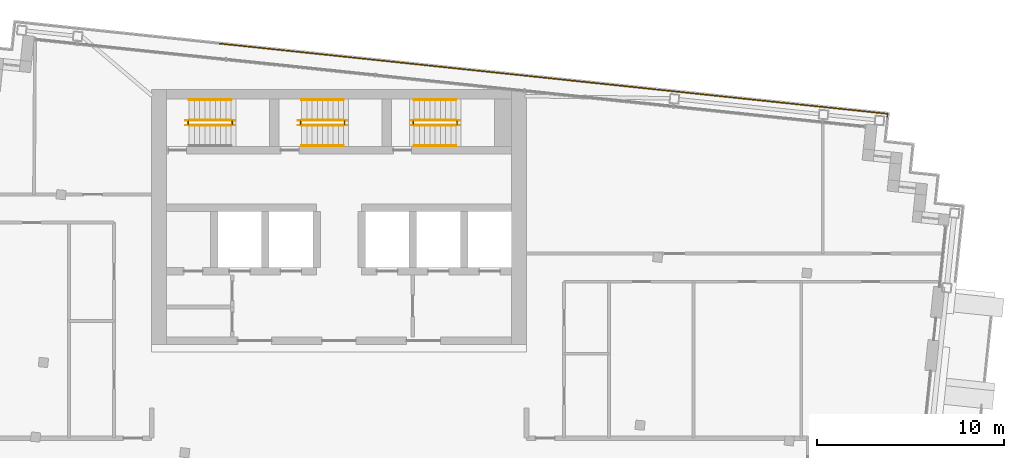
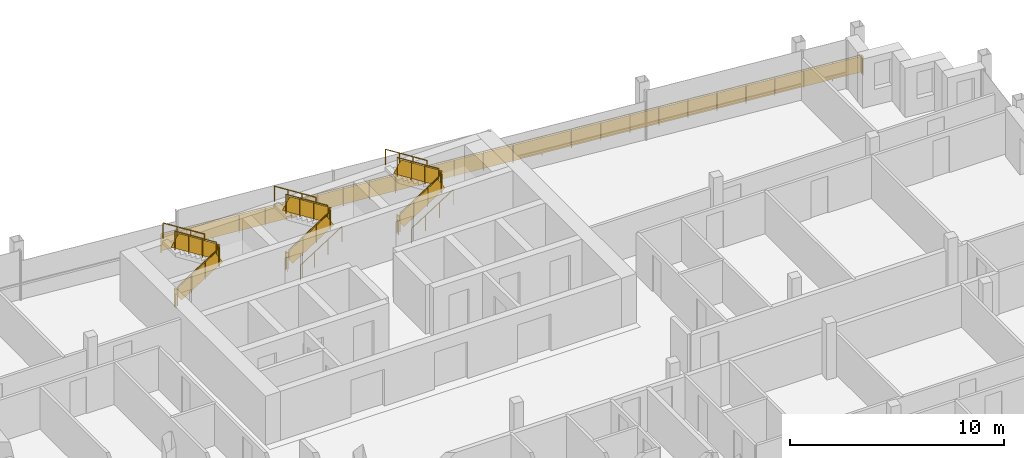
# One storey, part 15 of 16: 20 railings.
"""IFC4 building model written with IfcOpenShell, lengths in metres."""

from ifc_helpers import new_model, si_unit, direction, frame, origin, origin_2d, place, context, subcontext, project, spatial, rectangle, circle, extrude, material, type_object, element, save


model = new_model("IFC4")

# Units and contexts
model_context = context("Model", 3, precision=1e-05, world=origin(), true_north=direction((0.0, 1.0)))
body_context = subcontext(model_context, "Body", "Model", "MODEL_VIEW")
ifc_project = project(units=[si_unit("LENGTHUNIT", "METRE"), si_unit("AREAUNIT", "SQUARE_METRE"), si_unit("VOLUMEUNIT", "CUBIC_METRE"), si_unit("PLANEANGLEUNIT", "RADIAN"), si_unit("MASSUNIT", "GRAM", prefix="KILO")], contexts=[model_context])

# Site, building, storey
site_placement = place(None, origin())
site = spatial("IfcSite", under=ifc_project, at=site_placement, CompositionType="ELEMENT")
building_placement = place(site_placement, origin())
building = spatial("IfcBuilding", under=site, at=building_placement, Name="Vidyagriha Tower", CompositionType="ELEMENT")
storey_placement = place(building_placement, frame((0.0, 0.0, 278.699951171875)))
storey = spatial("IfcBuildingStorey", under=building, at=storey_placement, Name="L73", CompositionType="ELEMENT", Elevation=278.699951171875)

# Railings
ifc_material_1 = material(Name="Steel ASTM A500 Grade C black painted", Category="steel")
railing_type_1 = type_object("IfcRailingType", Name="Gallery guard 1100", PredefinedType="GUARDRAIL", material=ifc_material_1)
railing_1_placement = place(storey_placement, frame((-6.382080078125, 22.45068359375, 0.0)))
element("IfcRailing", 1, at=railing_1_placement, inside=storey, type_object=railing_type_1, Name="Gallery guard L73 6", PredefinedType="GUARDRAIL", context=body_context, shape_type="SweptSolid", body=[
    extrude(circle(Radius=0.02490234375, at=origin_2d()), frame((0.0, 0.0, 1.0751953125), z_axis=(0.994523609071, -0.104512157188, 0.0), x_axis=(0.104512157188, 0.994523609071, 0.0)), (0.0, 0.0, 1.0), 12.0),
    extrude(circle(Radius=0.02001953125, at=origin_2d()), origin(), (0.0, 0.0, 1.0), 1.050048828125),
    extrude(circle(Radius=0.02001953125, at=origin_2d()), frame((1.325927734375, -0.139404296875, 0.0)), (0.0, 0.0, 1.0), 1.050048828125),
    extrude(circle(Radius=0.02001953125, at=origin_2d()), frame((2.652099609375, -0.27880859375, 0.0)), (0.0, 0.0, 1.0), 1.050048828125),
    extrude(circle(Radius=0.02001953125, at=origin_2d()), frame((3.97802734375, -0.41796875, 0.0)), (0.0, 0.0, 1.0), 1.050048828125),
    extrude(circle(Radius=0.02001953125, at=origin_2d()), frame((5.30419921875, -0.557373046875, 0.0)), (0.0, 0.0, 1.0), 1.050048828125),
    extrude(circle(Radius=0.02001953125, at=origin_2d()), frame((6.630126953125, -0.69677734375, 0.0)), (0.0, 0.0, 1.0), 1.050048828125),
    extrude(circle(Radius=0.02001953125, at=origin_2d()), frame((7.956298828125, -0.836181640625, 0.0)), (0.0, 0.0, 1.0), 1.050048828125),
    extrude(circle(Radius=0.02001953125, at=origin_2d()), frame((9.2822265625, -0.975341796875, 0.0)), (0.0, 0.0, 1.0), 1.050048828125),
    extrude(circle(Radius=0.02001953125, at=origin_2d()), frame((10.6083984375, -1.11474609375, 0.0)), (0.0, 0.0, 1.0), 1.050048828125),
    extrude(circle(Radius=0.02001953125, at=origin_2d()), frame((11.934326171875, -1.254150390625, 0.0)), (0.0, 0.0, 1.0), 1.050048828125),
    extrude(rectangle(XDim=0.010009765625, YDim=0.900146484375, at=origin_2d()), frame((0.0, 0.0, 0.550048828125), z_axis=(0.994523609071, -0.104512157188, 0.0), x_axis=(0.104512157188, 0.994523609071, 0.0)), (0.0, 0.0, 1.0), 12.0),
])
railing_2_placement = place(storey_placement, frame((5.55224609375, 21.196533203125, 0.0)))
element("IfcRailing", 2, at=railing_2_placement, inside=storey, type_object=railing_type_1, Name="Gallery guard L73 7", PredefinedType="GUARDRAIL", context=body_context, shape_type="SweptSolid", body=[
    extrude(circle(Radius=0.02490234375, at=origin_2d()), frame((0.0, 0.0, 1.0751953125), z_axis=(0.994521271903, -0.104534394972, 0.0), x_axis=(0.104534394972, 0.994521271903, 0.0)), (0.0, 0.0, 1.0), 11.999755859375),
    extrude(circle(Radius=0.02001953125, at=origin_2d()), origin(), (0.0, 0.0, 1.0), 1.050048828125),
    extrude(circle(Radius=0.02001953125, at=origin_2d()), frame((1.49169921875, -0.15673828125, 0.0)), (0.0, 0.0, 1.0), 1.050048828125),
    extrude(circle(Radius=0.02001953125, at=origin_2d()), frame((2.9833984375, -0.3134765625, 0.0)), (0.0, 0.0, 1.0), 1.050048828125),
    extrude(circle(Radius=0.02001953125, at=origin_2d()), frame((4.475341796875, -0.470458984375, 0.0)), (0.0, 0.0, 1.0), 1.050048828125),
    extrude(circle(Radius=0.02001953125, at=origin_2d()), frame((5.967041015625, -0.627197265625, 0.0)), (0.0, 0.0, 1.0), 1.050048828125),
    extrude(circle(Radius=0.02001953125, at=origin_2d()), frame((7.458740234375, -0.783935546875, 0.0)), (0.0, 0.0, 1.0), 1.050048828125),
    extrude(circle(Radius=0.02001953125, at=origin_2d()), frame((8.95068359375, -0.94091796875, 0.0)), (0.0, 0.0, 1.0), 1.050048828125),
    extrude(circle(Radius=0.02001953125, at=origin_2d()), frame((10.4423828125, -1.09765625, 0.0)), (0.0, 0.0, 1.0), 1.050048828125),
    extrude(circle(Radius=0.02001953125, at=origin_2d()), frame((11.93408203125, -1.25439453125, 0.0)), (0.0, 0.0, 1.0), 1.050048828125),
    extrude(rectangle(XDim=0.010009765625, YDim=0.900146484375, at=origin_2d()), frame((0.0, 0.0, 0.550048828125), z_axis=(0.994521271903, -0.104534394972, 0.0), x_axis=(0.104534394972, 0.994521271903, 0.0)), (0.0, 0.0, 1.0), 11.999755859375),
])
railing_3_placement = place(storey_placement, frame((17.486328125, 19.942138671875, 0.0)))
element("IfcRailing", 3, at=railing_3_placement, inside=storey, type_object=railing_type_1, Name="Gallery guard L73 8", PredefinedType="GUARDRAIL", context=body_context, shape_type="SweptSolid", body=[
    extrude(circle(Radius=0.02490234375, at=origin_2d()), frame((0.0, 0.0, 1.0751953125), z_axis=(0.994522500633, -0.104522704396, 0.0), x_axis=(0.104522704396, 0.994522500633, 0.0)), (0.0, 0.0, 1.0), 11.840087890625),
    extrude(circle(Radius=0.02490234375, at=origin_2d()), frame((11.775146484375, -1.237548828125, 1.0751953125), z_axis=(-0.105240535143, -0.994446795843, 0.0), x_axis=(0.994446795843, -0.105240535143, 0.0)), (0.0, 0.0, 1.0), 0.16015625),
    extrude(circle(Radius=0.02001953125, at=origin_2d()), origin(), (0.0, 0.0, 1.0), 1.050048828125),
    extrude(circle(Radius=0.02001953125, at=origin_2d()), frame((1.471923828125, -0.15478515625, 0.0)), (0.0, 0.0, 1.0), 1.050048828125),
    extrude(circle(Radius=0.02001953125, at=origin_2d()), frame((2.94384765625, -0.309326171875, 0.0)), (0.0, 0.0, 1.0), 1.050048828125),
    extrude(circle(Radius=0.02001953125, at=origin_2d()), frame((4.415771484375, -0.464111328125, 0.0)), (0.0, 0.0, 1.0), 1.050048828125),
    extrude(circle(Radius=0.02001953125, at=origin_2d()), frame((5.8876953125, -0.61865234375, 0.0)), (0.0, 0.0, 1.0), 1.050048828125),
    extrude(circle(Radius=0.02001953125, at=origin_2d()), frame((7.359375, -0.7734375, 0.0)), (0.0, 0.0, 1.0), 1.050048828125),
    extrude(circle(Radius=0.02001953125, at=origin_2d()), frame((8.831298828125, -0.92822265625, 0.0)), (0.0, 0.0, 1.0), 1.050048828125),
    extrude(circle(Radius=0.02001953125, at=origin_2d()), frame((10.30322265625, -1.082763671875, 0.0)), (0.0, 0.0, 1.0), 1.050048828125),
    extrude(circle(Radius=0.02001953125, at=origin_2d()), frame((11.775146484375, -1.237548828125, 0.0)), (0.0, 0.0, 1.0), 1.050048828125),
    extrude(circle(Radius=0.02001953125, at=origin_2d()), frame((11.75830078125, -1.396728515625, 0.0)), (0.0, 0.0, 1.0), 1.050048828125),
    extrude(rectangle(XDim=0.010009765625, YDim=0.900146484375, at=origin_2d()), frame((0.0, 0.0, 0.550048828125), z_axis=(0.994522500633, -0.104522704396, 0.0), x_axis=(0.104522704396, 0.994522500633, 0.0)), (0.0, 0.0, 1.0), 11.840087890625),
    extrude(rectangle(XDim=0.010009765625, YDim=0.900146484375, at=origin_2d()), frame((11.775146484375, -1.237548828125, 0.550048828125), z_axis=(-0.105240535143, -0.994446795843, 0.0), x_axis=(0.994446795843, -0.105240535143, 0.0)), (0.0, 0.0, 1.0), 0.16015625),
])
ifc_material_2 = material(Name="Steel ASTM A500 Grade C", Category="steel")
railing_type_2 = type_object("IfcRailingType", Name="Stair guard 1100 mm, steel balustrade", PredefinedType="GUARDRAIL", material=ifc_material_2)
railing_4_placement = place(storey_placement, frame((-8.0, 18.10009765625, 0.177734375)))
element("IfcRailing", 4, at=railing_4_placement, inside=storey, type_object=railing_type_2, Name="L73 ST1 stair guard 1", PredefinedType="GUARDRAIL", context=body_context, shape_type="SweptSolid", body=[
    extrude(circle(Radius=0.02392578125, at=origin_2d()), frame((0.0, 0.0, 1.076171875), z_axis=(0.84418770128, 0.0, 0.536047689118), x_axis=(0.0, 1.0, 0.0)), (0.0, 0.0, 1.0), 2.6533203125),
    extrude(circle(Radius=0.02099609375, at=origin_2d()), origin(), (0.0, 0.0, 1.0), 1.052001953125),
    extrude(circle(Radius=0.02099609375, at=origin_2d()), frame((0.74658203125, 0.0, 0.47412109375)), (0.0, 0.0, 1.0), 1.052001953125),
    extrude(circle(Radius=0.02099609375, at=origin_2d()), frame((1.493408203125, 0.0, 0.9482421875)), (0.0, 0.0, 1.0), 1.052001953125),
    extrude(circle(Radius=0.02099609375, at=origin_2d()), frame((2.239990234375, 0.0, 1.42236328125)), (0.0, 0.0, 1.0), 1.052001953125),
    extrude(rectangle(XDim=0.010009765625, YDim=0.761474609375, at=origin_2d()), frame((0.0, 0.0, 0.551025390625), z_axis=(0.84418770128, 0.0, 0.536047689118), x_axis=(0.0, 1.0, 0.0)), (0.0, 0.0, 1.0), 2.6533203125),
])
railing_5_placement = place(storey_placement, frame((-5.7099609375, 18.14990234375, 1.60009765625)))
element("IfcRailing", 5, at=railing_5_placement, inside=storey, type_object=railing_type_2, Name="L73 ST1 stair guard 2", PredefinedType="GUARDRAIL", context=body_context, shape_type="SweptSolid", body=[
    extrude(circle(Radius=0.02392578125, at=origin_2d()), frame((0.0, 0.0, 1.076171875), z_axis=(0.0, 1.0, 0.0), x_axis=(-1.0, 0.0, 0.0)), (0.0, 0.0, 1.0), 0.150146484375),
    extrude(circle(Radius=0.02099609375, at=origin_2d()), origin(), (0.0, 0.0, 1.0), 1.052001953125),
    extrude(circle(Radius=0.02099609375, at=origin_2d()), frame((0.0, 0.150146484375, 0.0)), (0.0, 0.0, 1.0), 1.052001953125),
    extrude(rectangle(XDim=0.010009765625, YDim=0.902099609375, at=origin_2d()), frame((0.0, 0.0, 0.551025390625), z_axis=(0.0, 1.0, 0.0), x_axis=(-1.0, 0.0, 0.0)), (0.0, 0.0, 1.0), 0.150146484375),
])
railing_6_placement = place(storey_placement, frame((-5.760009765625, 18.35009765625, 1.77783203125)))
element("IfcRailing", 6, at=railing_6_placement, inside=storey, type_object=railing_type_2, Name="L73 ST1 stair guard 3", PredefinedType="GUARDRAIL", context=body_context, shape_type="SweptSolid", body=[
    extrude(circle(Radius=0.02392578125, at=origin_2d()), frame((0.0, 0.0, 1.076171875), z_axis=(-0.8442293374, 0.0, 0.53598211339), x_axis=(0.0, -1.0, 0.0)), (0.0, 0.0, 1.0), 2.6533203125),
    extrude(circle(Radius=0.02099609375, at=origin_2d()), origin(), (0.0, 0.0, 1.0), 1.052001953125),
    extrude(circle(Radius=0.02099609375, at=origin_2d()), frame((-0.74658203125, 0.0, 0.47412109375)), (0.0, 0.0, 1.0), 1.052001953125),
    extrude(circle(Radius=0.02099609375, at=origin_2d()), frame((-1.493408203125, 0.0, 0.947998046875)), (0.0, 0.0, 1.0), 1.052001953125),
    extrude(circle(Radius=0.02099609375, at=origin_2d()), frame((-2.239990234375, 0.0, 1.422119140625)), (0.0, 0.0, 1.0), 1.052001953125),
    extrude(rectangle(XDim=0.010009765625, YDim=0.761474609375, at=origin_2d()), frame((0.0, 0.0, 0.551025390625), z_axis=(-0.8442293374, 0.0, 0.53598211339), x_axis=(0.0, -1.0, 0.0)), (0.0, 0.0, 1.0), 2.6533203125),
])
railing_7_placement = place(storey_placement, frame((-8.050048828125, 18.14990234375, 0.0)))
element("IfcRailing", 7, at=railing_7_placement, inside=storey, type_object=railing_type_2, Name="L73 ST1 stair guard 4", PredefinedType="GUARDRAIL", context=body_context, shape_type="SweptSolid", body=[
    extrude(circle(Radius=0.02392578125, at=origin_2d()), frame((0.0, 0.0, 1.076171875), z_axis=(0.0, 1.0, 0.0), x_axis=(-1.0, 0.0, 0.0)), (0.0, 0.0, 1.0), 0.150146484375),
    extrude(circle(Radius=0.02099609375, at=origin_2d()), origin(), (0.0, 0.0, 1.0), 1.052001953125),
    extrude(circle(Radius=0.02099609375, at=origin_2d()), frame((0.0, 0.150146484375, 0.0)), (0.0, 0.0, 1.0), 1.052001953125),
    extrude(rectangle(XDim=0.010009765625, YDim=0.902099609375, at=origin_2d()), frame((0.0, 0.0, 0.551025390625), z_axis=(0.0, 1.0, 0.0), x_axis=(-1.0, 0.0, 0.0)), (0.0, 0.0, 1.0), 0.150146484375),
])
railing_8_placement = place(storey_placement, frame((-2.0, 18.10009765625, 0.177734375)))
element("IfcRailing", 8, at=railing_8_placement, inside=storey, type_object=railing_type_2, Name="L73 ST2 stair guard 1", PredefinedType="GUARDRAIL", context=body_context, shape_type="SweptSolid", body=[
    extrude(circle(Radius=0.02392578125, at=origin_2d()), frame((0.0, 0.0, 1.076171875), z_axis=(0.84418770128, 0.0, 0.536047689118), x_axis=(0.0, 1.0, 0.0)), (0.0, 0.0, 1.0), 2.6533203125),
    extrude(circle(Radius=0.02099609375, at=origin_2d()), origin(), (0.0, 0.0, 1.0), 1.052001953125),
    extrude(circle(Radius=0.02099609375, at=origin_2d()), frame((0.74658203125, 0.0, 0.47412109375)), (0.0, 0.0, 1.0), 1.052001953125),
    extrude(circle(Radius=0.02099609375, at=origin_2d()), frame((1.493408203125, 0.0, 0.9482421875)), (0.0, 0.0, 1.0), 1.052001953125),
    extrude(circle(Radius=0.02099609375, at=origin_2d()), frame((2.239990234375, 0.0, 1.42236328125)), (0.0, 0.0, 1.0), 1.052001953125),
    extrude(rectangle(XDim=0.010009765625, YDim=0.761474609375, at=origin_2d()), frame((0.0, 0.0, 0.551025390625), z_axis=(0.84418770128, 0.0, 0.536047689118), x_axis=(0.0, 1.0, 0.0)), (0.0, 0.0, 1.0), 2.6533203125),
])
railing_9_placement = place(storey_placement, frame((0.2900390625, 18.14990234375, 1.60009765625)))
element("IfcRailing", 9, at=railing_9_placement, inside=storey, type_object=railing_type_2, Name="L73 ST2 stair guard 2", PredefinedType="GUARDRAIL", context=body_context, shape_type="SweptSolid", body=[
    extrude(circle(Radius=0.02392578125, at=origin_2d()), frame((0.0, 0.0, 1.076171875), z_axis=(0.0, 1.0, 0.0), x_axis=(-1.0, 0.0, 0.0)), (0.0, 0.0, 1.0), 0.150146484375),
    extrude(circle(Radius=0.02099609375, at=origin_2d()), origin(), (0.0, 0.0, 1.0), 1.052001953125),
    extrude(circle(Radius=0.02099609375, at=origin_2d()), frame((0.0, 0.150146484375, 0.0)), (0.0, 0.0, 1.0), 1.052001953125),
    extrude(rectangle(XDim=0.010009765625, YDim=0.902099609375, at=origin_2d()), frame((0.0, 0.0, 0.551025390625), z_axis=(0.0, 1.0, 0.0), x_axis=(-1.0, 0.0, 0.0)), (0.0, 0.0, 1.0), 0.150146484375),
])
railing_10_placement = place(storey_placement, frame((0.239990234375, 18.35009765625, 1.77783203125)))
element("IfcRailing", 10, at=railing_10_placement, inside=storey, type_object=railing_type_2, Name="L73 ST2 stair guard 3", PredefinedType="GUARDRAIL", context=body_context, shape_type="SweptSolid", body=[
    extrude(circle(Radius=0.02392578125, at=origin_2d()), frame((0.0, 0.0, 1.076171875), z_axis=(-0.8442293374, 0.0, 0.53598211339), x_axis=(0.0, -1.0, 0.0)), (0.0, 0.0, 1.0), 2.6533203125),
    extrude(circle(Radius=0.02099609375, at=origin_2d()), origin(), (0.0, 0.0, 1.0), 1.052001953125),
    extrude(circle(Radius=0.02099609375, at=origin_2d()), frame((-0.74658203125, 0.0, 0.47412109375)), (0.0, 0.0, 1.0), 1.052001953125),
    extrude(circle(Radius=0.02099609375, at=origin_2d()), frame((-1.493408203125, 0.0, 0.947998046875)), (0.0, 0.0, 1.0), 1.052001953125),
    extrude(circle(Radius=0.02099609375, at=origin_2d()), frame((-2.239990234375, 0.0, 1.422119140625)), (0.0, 0.0, 1.0), 1.052001953125),
    extrude(rectangle(XDim=0.010009765625, YDim=0.761474609375, at=origin_2d()), frame((0.0, 0.0, 0.551025390625), z_axis=(-0.8442293374, 0.0, 0.53598211339), x_axis=(0.0, -1.0, 0.0)), (0.0, 0.0, 1.0), 2.6533203125),
])
railing_11_placement = place(storey_placement, frame((-2.050048828125, 18.14990234375, 0.0)))
element("IfcRailing", 11, at=railing_11_placement, inside=storey, type_object=railing_type_2, Name="L73 ST2 stair guard 4", PredefinedType="GUARDRAIL", context=body_context, shape_type="SweptSolid", body=[
    extrude(circle(Radius=0.02392578125, at=origin_2d()), frame((0.0, 0.0, 1.076171875), z_axis=(0.0, 1.0, 0.0), x_axis=(-1.0, 0.0, 0.0)), (0.0, 0.0, 1.0), 0.150146484375),
    extrude(circle(Radius=0.02099609375, at=origin_2d()), origin(), (0.0, 0.0, 1.0), 1.052001953125),
    extrude(circle(Radius=0.02099609375, at=origin_2d()), frame((0.0, 0.150146484375, 0.0)), (0.0, 0.0, 1.0), 1.052001953125),
    extrude(rectangle(XDim=0.010009765625, YDim=0.902099609375, at=origin_2d()), frame((0.0, 0.0, 0.551025390625), z_axis=(0.0, 1.0, 0.0), x_axis=(-1.0, 0.0, 0.0)), (0.0, 0.0, 1.0), 0.150146484375),
])
railing_12_placement = place(storey_placement, frame((4.0, 18.10009765625, 0.177734375)))
element("IfcRailing", 12, at=railing_12_placement, inside=storey, type_object=railing_type_2, Name="L73 ST3 stair guard 1", PredefinedType="GUARDRAIL", context=body_context, shape_type="SweptSolid", body=[
    extrude(circle(Radius=0.02392578125, at=origin_2d()), frame((0.0, 0.0, 1.076171875), z_axis=(0.84418770128, 0.0, 0.536047689118), x_axis=(0.0, 1.0, 0.0)), (0.0, 0.0, 1.0), 2.6533203125),
    extrude(circle(Radius=0.02099609375, at=origin_2d()), origin(), (0.0, 0.0, 1.0), 1.052001953125),
    extrude(circle(Radius=0.02099609375, at=origin_2d()), frame((0.74658203125, 0.0, 0.47412109375)), (0.0, 0.0, 1.0), 1.052001953125),
    extrude(circle(Radius=0.02099609375, at=origin_2d()), frame((1.493408203125, 0.0, 0.9482421875)), (0.0, 0.0, 1.0), 1.052001953125),
    extrude(circle(Radius=0.02099609375, at=origin_2d()), frame((2.239990234375, 0.0, 1.42236328125)), (0.0, 0.0, 1.0), 1.052001953125),
    extrude(rectangle(XDim=0.010009765625, YDim=0.761474609375, at=origin_2d()), frame((0.0, 0.0, 0.551025390625), z_axis=(0.84418770128, 0.0, 0.536047689118), x_axis=(0.0, 1.0, 0.0)), (0.0, 0.0, 1.0), 2.6533203125),
])
railing_13_placement = place(storey_placement, frame((6.2900390625, 18.14990234375, 1.60009765625)))
element("IfcRailing", 13, at=railing_13_placement, inside=storey, type_object=railing_type_2, Name="L73 ST3 stair guard 2", PredefinedType="GUARDRAIL", context=body_context, shape_type="SweptSolid", body=[
    extrude(circle(Radius=0.02392578125, at=origin_2d()), frame((0.0, 0.0, 1.076171875), z_axis=(0.0, 1.0, 0.0), x_axis=(-1.0, 0.0, 0.0)), (0.0, 0.0, 1.0), 0.150146484375),
    extrude(circle(Radius=0.02099609375, at=origin_2d()), origin(), (0.0, 0.0, 1.0), 1.052001953125),
    extrude(circle(Radius=0.02099609375, at=origin_2d()), frame((0.0, 0.150146484375, 0.0)), (0.0, 0.0, 1.0), 1.052001953125),
    extrude(rectangle(XDim=0.010009765625, YDim=0.902099609375, at=origin_2d()), frame((0.0, 0.0, 0.551025390625), z_axis=(0.0, 1.0, 0.0), x_axis=(-1.0, 0.0, 0.0)), (0.0, 0.0, 1.0), 0.150146484375),
])
railing_14_placement = place(storey_placement, frame((6.239990234375, 18.35009765625, 1.77783203125)))
element("IfcRailing", 14, at=railing_14_placement, inside=storey, type_object=railing_type_2, Name="L73 ST3 stair guard 3", PredefinedType="GUARDRAIL", context=body_context, shape_type="SweptSolid", body=[
    extrude(circle(Radius=0.02392578125, at=origin_2d()), frame((0.0, 0.0, 1.076171875), z_axis=(-0.8442293374, 0.0, 0.53598211339), x_axis=(0.0, -1.0, 0.0)), (0.0, 0.0, 1.0), 2.6533203125),
    extrude(circle(Radius=0.02099609375, at=origin_2d()), origin(), (0.0, 0.0, 1.0), 1.052001953125),
    extrude(circle(Radius=0.02099609375, at=origin_2d()), frame((-0.74658203125, 0.0, 0.47412109375)), (0.0, 0.0, 1.0), 1.052001953125),
    extrude(circle(Radius=0.02099609375, at=origin_2d()), frame((-1.493408203125, 0.0, 0.947998046875)), (0.0, 0.0, 1.0), 1.052001953125),
    extrude(circle(Radius=0.02099609375, at=origin_2d()), frame((-2.239990234375, 0.0, 1.422119140625)), (0.0, 0.0, 1.0), 1.052001953125),
    extrude(rectangle(XDim=0.010009765625, YDim=0.761474609375, at=origin_2d()), frame((0.0, 0.0, 0.551025390625), z_axis=(-0.8442293374, 0.0, 0.53598211339), x_axis=(0.0, -1.0, 0.0)), (0.0, 0.0, 1.0), 2.6533203125),
])
railing_15_placement = place(storey_placement, frame((3.949951171875, 18.14990234375, 0.0)))
element("IfcRailing", 15, at=railing_15_placement, inside=storey, type_object=railing_type_2, Name="L73 ST3 stair guard 4", PredefinedType="GUARDRAIL", context=body_context, shape_type="SweptSolid", body=[
    extrude(circle(Radius=0.02392578125, at=origin_2d()), frame((0.0, 0.0, 1.076171875), z_axis=(0.0, 1.0, 0.0), x_axis=(-1.0, 0.0, 0.0)), (0.0, 0.0, 1.0), 0.150146484375),
    extrude(circle(Radius=0.02099609375, at=origin_2d()), origin(), (0.0, 0.0, 1.0), 1.052001953125),
    extrude(circle(Radius=0.02099609375, at=origin_2d()), frame((0.0, 0.150146484375, 0.0)), (0.0, 0.0, 1.0), 1.052001953125),
    extrude(rectangle(XDim=0.010009765625, YDim=0.902099609375, at=origin_2d()), frame((0.0, 0.0, 0.551025390625), z_axis=(0.0, 1.0, 0.0), x_axis=(-1.0, 0.0, 0.0)), (0.0, 0.0, 1.0), 0.150146484375),
])
ifc_material_3 = material(Name="Steel ASTM A500 Grade C", Category="steel")
railing_type_3 = type_object("IfcRailingType", Name="Stair handrail 900 mm, steel", PredefinedType="HANDRAIL", material=ifc_material_3)
railing_16_placement = place(storey_placement, frame((-5.760009765625, 19.449951171875, 1.77783203125)))
element("IfcRailing", 16, at=railing_16_placement, inside=storey, type_object=railing_type_3, Name="L73 ST1 stair handrail 2", PredefinedType="HANDRAIL", context=body_context, shape_type="SweptSolid", body=[
    extrude(circle(Radius=0.02392578125, at=origin_2d()), frame((0.0, 0.0, 0.8759765625), z_axis=(-0.8442293374, 0.0, 0.53598211339), x_axis=(0.0, -1.0, 0.0)), (0.0, 0.0, 1.0), 2.6533203125),
    extrude(circle(Radius=0.02099609375, at=origin_2d()), origin(), (0.0, 0.0, 1.0), 0.851806640625),
    extrude(circle(Radius=0.02099609375, at=origin_2d()), frame((-0.74658203125, 0.0, 0.47412109375)), (0.0, 0.0, 1.0), 0.851806640625),
    extrude(circle(Radius=0.02099609375, at=origin_2d()), frame((-1.493408203125, 0.0, 0.947998046875)), (0.0, 0.0, 1.0), 0.851806640625),
    extrude(circle(Radius=0.02099609375, at=origin_2d()), frame((-2.239990234375, 0.0, 1.422119140625)), (0.0, 0.0, 1.0), 0.851806640625),
])
railing_17_placement = place(storey_placement, frame((-2.0, 17.0, 0.177734375)))
element("IfcRailing", 17, at=railing_17_placement, inside=storey, type_object=railing_type_3, Name="L73 ST2 stair handrail 1", PredefinedType="HANDRAIL", context=body_context, shape_type="SweptSolid", body=[
    extrude(circle(Radius=0.02392578125, at=origin_2d()), frame((0.0, 0.0, 0.8759765625), z_axis=(0.84418770128, 0.0, 0.536047689118), x_axis=(0.0, 1.0, 0.0)), (0.0, 0.0, 1.0), 2.6533203125),
    extrude(circle(Radius=0.02099609375, at=origin_2d()), origin(), (0.0, 0.0, 1.0), 0.851806640625),
    extrude(circle(Radius=0.02099609375, at=origin_2d()), frame((0.74658203125, 0.0, 0.47412109375)), (0.0, 0.0, 1.0), 0.851806640625),
    extrude(circle(Radius=0.02099609375, at=origin_2d()), frame((1.493408203125, 0.0, 0.9482421875)), (0.0, 0.0, 1.0), 0.851806640625),
    extrude(circle(Radius=0.02099609375, at=origin_2d()), frame((2.239990234375, 0.0, 1.42236328125)), (0.0, 0.0, 1.0), 0.851806640625),
])
railing_18_placement = place(storey_placement, frame((0.239990234375, 19.449951171875, 1.77783203125)))
element("IfcRailing", 18, at=railing_18_placement, inside=storey, type_object=railing_type_3, Name="L73 ST2 stair handrail 2", PredefinedType="HANDRAIL", context=body_context, shape_type="SweptSolid", body=[
    extrude(circle(Radius=0.02392578125, at=origin_2d()), frame((0.0, 0.0, 0.8759765625), z_axis=(-0.8442293374, 0.0, 0.53598211339), x_axis=(0.0, -1.0, 0.0)), (0.0, 0.0, 1.0), 2.6533203125),
    extrude(circle(Radius=0.02099609375, at=origin_2d()), origin(), (0.0, 0.0, 1.0), 0.851806640625),
    extrude(circle(Radius=0.02099609375, at=origin_2d()), frame((-0.74658203125, 0.0, 0.47412109375)), (0.0, 0.0, 1.0), 0.851806640625),
    extrude(circle(Radius=0.02099609375, at=origin_2d()), frame((-1.493408203125, 0.0, 0.947998046875)), (0.0, 0.0, 1.0), 0.851806640625),
    extrude(circle(Radius=0.02099609375, at=origin_2d()), frame((-2.239990234375, 0.0, 1.422119140625)), (0.0, 0.0, 1.0), 0.851806640625),
])
railing_19_placement = place(storey_placement, frame((4.0, 17.0, 0.177734375)))
element("IfcRailing", 19, at=railing_19_placement, inside=storey, type_object=railing_type_3, Name="L73 ST3 stair handrail 1", PredefinedType="HANDRAIL", context=body_context, shape_type="SweptSolid", body=[
    extrude(circle(Radius=0.02392578125, at=origin_2d()), frame((0.0, 0.0, 0.8759765625), z_axis=(0.84418770128, 0.0, 0.536047689118), x_axis=(0.0, 1.0, 0.0)), (0.0, 0.0, 1.0), 2.6533203125),
    extrude(circle(Radius=0.02099609375, at=origin_2d()), origin(), (0.0, 0.0, 1.0), 0.851806640625),
    extrude(circle(Radius=0.02099609375, at=origin_2d()), frame((0.74658203125, 0.0, 0.47412109375)), (0.0, 0.0, 1.0), 0.851806640625),
    extrude(circle(Radius=0.02099609375, at=origin_2d()), frame((1.493408203125, 0.0, 0.9482421875)), (0.0, 0.0, 1.0), 0.851806640625),
    extrude(circle(Radius=0.02099609375, at=origin_2d()), frame((2.239990234375, 0.0, 1.42236328125)), (0.0, 0.0, 1.0), 0.851806640625),
])
railing_20_placement = place(storey_placement, frame((6.239990234375, 19.449951171875, 1.77783203125)))
element("IfcRailing", 20, at=railing_20_placement, inside=storey, type_object=railing_type_3, Name="L73 ST3 stair handrail 2", PredefinedType="HANDRAIL", context=body_context, shape_type="SweptSolid", body=[
    extrude(circle(Radius=0.02392578125, at=origin_2d()), frame((0.0, 0.0, 0.8759765625), z_axis=(-0.8442293374, 0.0, 0.53598211339), x_axis=(0.0, -1.0, 0.0)), (0.0, 0.0, 1.0), 2.6533203125),
    extrude(circle(Radius=0.02099609375, at=origin_2d()), origin(), (0.0, 0.0, 1.0), 0.851806640625),
    extrude(circle(Radius=0.02099609375, at=origin_2d()), frame((-0.74658203125, 0.0, 0.47412109375)), (0.0, 0.0, 1.0), 0.851806640625),
    extrude(circle(Radius=0.02099609375, at=origin_2d()), frame((-1.493408203125, 0.0, 0.947998046875)), (0.0, 0.0, 1.0), 0.851806640625),
    extrude(circle(Radius=0.02099609375, at=origin_2d()), frame((-2.239990234375, 0.0, 1.422119140625)), (0.0, 0.0, 1.0), 0.851806640625),
])

save(model, "model.ifc")
